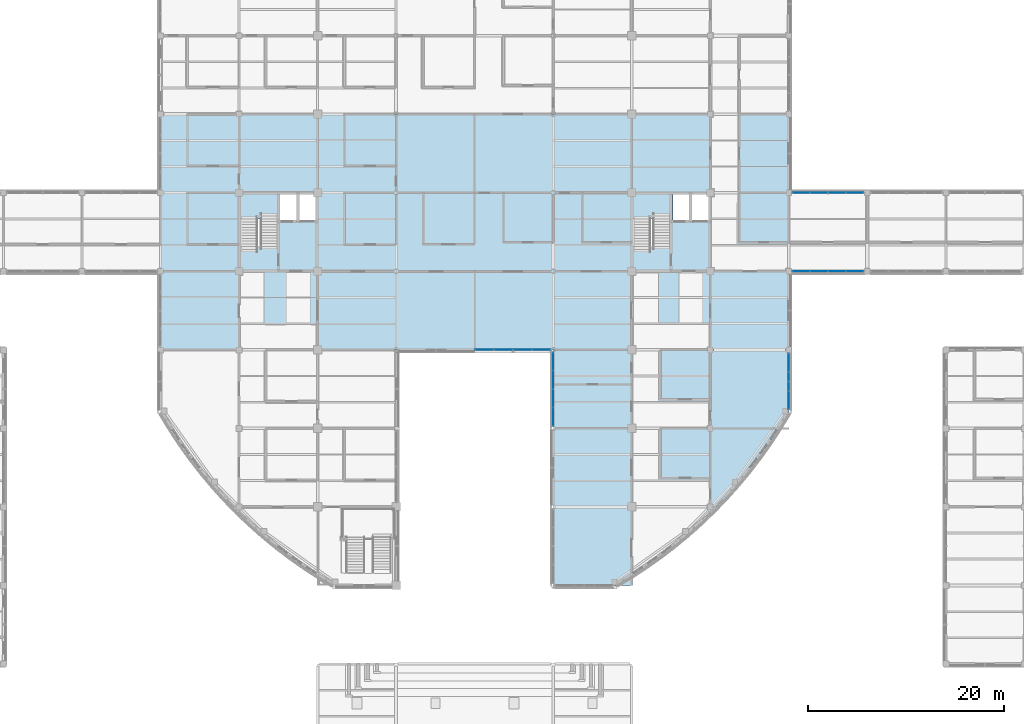
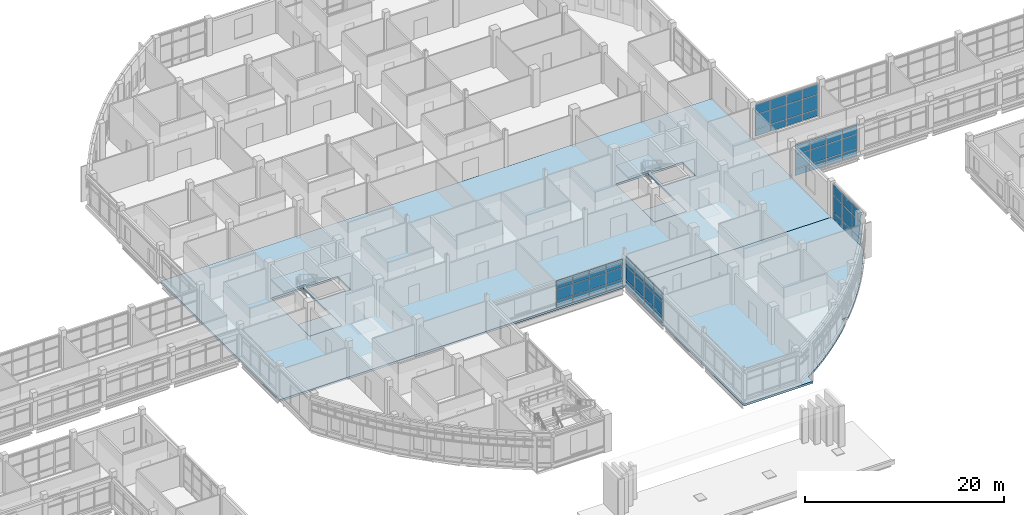
# One storey, part 65 of 121: 57 plates, 6 slabs, 7 elements without a shape of their own.
"""IFC4 building model written with IfcOpenShell, lengths in metres."""

from ifc_helpers import new_model, si_unit, derived_unit, direction, frame, origin, origin_2d, place, context, subcontext, project, spatial, polyline, rectangle, outline, extrude, material, layer, layer_set, type_object, element, aggregate, save


model = new_model("IFC4")

# Units and contexts
model_context = context("Model", 3, precision=1e-05, world=origin(), true_north=direction((0.0, 1.0)))
body_context = subcontext(model_context, "Body", "Model", "MODEL_VIEW")
ifc_project = project(units=[si_unit("LENGTHUNIT", "METRE"), si_unit("AREAUNIT", "SQUARE_METRE"), si_unit("VOLUMEUNIT", "CUBIC_METRE"), si_unit("PLANEANGLEUNIT", "RADIAN"), si_unit("MASSUNIT", "GRAM", prefix="KILO"), derived_unit("THERMALTRANSMITTANCEUNIT", [(si_unit("MASSUNIT", "GRAM", prefix="KILO"), 1), (si_unit("TIMEUNIT", "SECOND"), -3), (si_unit("THERMODYNAMICTEMPERATUREUNIT", "KELVIN"), -1)])], contexts=[model_context])

# Site, building, storey
site_placement = place(None, origin())
site = spatial("IfcSite", under=ifc_project, at=site_placement, CompositionType="ELEMENT")
building_placement = place(site_placement, origin())
building = spatial("IfcBuilding", under=site, at=building_placement, Name="Veyamyaing Civic Hall", CompositionType="ELEMENT")
storey_placement = place(building_placement, frame((0.0, 0.0, 5.280029296875)))
storey = spatial("IfcBuildingStorey", under=building, at=storey_placement, Name="L01", CompositionType="ELEMENT", Elevation=5.280029296875)

# Curtain wall, plates
ifc_material_1 = material(Name="Anodised aluminium 6063-T6", Category="aluminium")
ifc_layer_1 = layer(ifc_material_1, 0.159912109375, Name="Anodised aluminium 6063-T6")
ifc_layer_set_1 = layer_set([ifc_layer_1], Name="Anodised aluminium 6063-T6")
curtain_wall_type = type_object("IfcCurtainWallType", Name="CW-02", PredefinedType="NOTDEFINED", material=ifc_layer_set_1)
curtain_wall_1_placement = place(storey_placement, origin())
curtain_wall_1 = element("IfcCurtainWall", 1, at=curtain_wall_1_placement, inside=storey, type_object=curtain_wall_type, Name="Unitized curtain wall CW-02 L01 S 12.6", PredefinedType="NOTDEFINED")
ifc_material_2 = material(Name="Low-E insulated glass", Category="glass")
ifc_layer_2 = layer(ifc_material_2, 0.028076171875, Name="Low-E insulated glass")
ifc_layer_set_2 = layer_set([ifc_layer_2], Name="Low-E insulated glass")
plate_type_1 = type_object("IfcPlateType", Name="CWP-01", PredefinedType="CURTAIN_PANEL", material=ifc_layer_set_2)
plate_1_placement = place(storey_placement, frame((88.989013671875, 40.0, 0.06494140625), z_axis=(0.0, 0.0, 1.0), x_axis=(1.0, 0.0, 0.0)))
plate_1 = element("IfcPlate", 2, at=plate_1_placement, type_object=plate_type_1, Name="CW-02 panel 1.1", PredefinedType="CURTAIN_PANEL", context=body_context, shape_type="SweptSolid", body=[
    extrude(rectangle(XDim=1.84814453125, YDim=0.028076171875, at=origin_2d()), origin(), (0.0, 0.0, 1.0), 0.802490234375),
])
plate_2_placement = place(storey_placement, frame((88.989013671875, 40.0, 0.9326171875), z_axis=(0.0, 0.0, 1.0), x_axis=(1.0, 0.0, 0.0)))
plate_2 = element("IfcPlate", 3, at=plate_2_placement, type_object=plate_type_1, Name="CW-02 panel 1.2", PredefinedType="CURTAIN_PANEL", context=body_context, shape_type="SweptSolid", body=[
    extrude(rectangle(XDim=1.84814453125, YDim=0.028076171875, at=origin_2d()), origin(), (0.0, 0.0, 1.0), 1.349609375),
])
plate_3_placement = place(storey_placement, frame((88.989013671875, 40.0, 2.34716796875), z_axis=(0.0, 0.0, 1.0), x_axis=(1.0, 0.0, 0.0)))
plate_3 = element("IfcPlate", 4, at=plate_3_placement, type_object=plate_type_1, Name="CW-02 panel 1.3", PredefinedType="CURTAIN_PANEL", context=body_context, shape_type="SweptSolid", body=[
    extrude(rectangle(XDim=1.84814453125, YDim=0.028076171875, at=origin_2d()), origin(), (0.0, 0.0, 1.0), 0.99169921875),
])
plate_4_placement = place(storey_placement, frame((90.918701171875, 40.0, 0.06494140625), z_axis=(0.0, 0.0, 1.0), x_axis=(1.0, 0.0, 0.0)))
plate_4 = element("IfcPlate", 5, at=plate_4_placement, type_object=plate_type_1, Name="CW-02 panel 2.1", PredefinedType="CURTAIN_PANEL", context=body_context, shape_type="SweptSolid", body=[
    extrude(rectangle(XDim=1.880859375, YDim=0.028076171875, at=origin_2d()), origin(), (0.0, 0.0, 1.0), 0.802490234375),
])
plate_5_placement = place(storey_placement, frame((90.918701171875, 40.0, 0.9326171875), z_axis=(0.0, 0.0, 1.0), x_axis=(1.0, 0.0, 0.0)))
plate_5 = element("IfcPlate", 6, at=plate_5_placement, type_object=plate_type_1, Name="CW-02 panel 2.2", PredefinedType="CURTAIN_PANEL", context=body_context, shape_type="SweptSolid", body=[
    extrude(rectangle(XDim=1.880859375, YDim=0.028076171875, at=origin_2d()), origin(), (0.0, 0.0, 1.0), 1.349609375),
])
plate_6_placement = place(storey_placement, frame((90.918701171875, 40.0, 2.34716796875), z_axis=(0.0, 0.0, 1.0), x_axis=(1.0, 0.0, 0.0)))
plate_6 = element("IfcPlate", 7, at=plate_6_placement, type_object=plate_type_1, Name="CW-02 panel 2.3", PredefinedType="CURTAIN_PANEL", context=body_context, shape_type="SweptSolid", body=[
    extrude(rectangle(XDim=1.880859375, YDim=0.028076171875, at=origin_2d()), origin(), (0.0, 0.0, 1.0), 0.99169921875),
])
plate_7_placement = place(storey_placement, frame((92.8642578125, 40.0, 0.06494140625), z_axis=(0.0, 0.0, 1.0), x_axis=(1.0, 0.0, 0.0)))
plate_7 = element("IfcPlate", 8, at=plate_7_placement, type_object=plate_type_1, Name="CW-02 panel 3.1", PredefinedType="CURTAIN_PANEL", context=body_context, shape_type="SweptSolid", body=[
    extrude(rectangle(XDim=1.880859375, YDim=0.028076171875, at=origin_2d()), origin(), (0.0, 0.0, 1.0), 0.802490234375),
])
plate_8_placement = place(storey_placement, frame((92.8642578125, 40.0, 0.9326171875), z_axis=(0.0, 0.0, 1.0), x_axis=(1.0, 0.0, 0.0)))
plate_8 = element("IfcPlate", 9, at=plate_8_placement, type_object=plate_type_1, Name="CW-02 panel 3.2", PredefinedType="CURTAIN_PANEL", context=body_context, shape_type="SweptSolid", body=[
    extrude(rectangle(XDim=1.880859375, YDim=0.028076171875, at=origin_2d()), origin(), (0.0, 0.0, 1.0), 1.349609375),
])
plate_9_placement = place(storey_placement, frame((92.8642578125, 40.0, 2.34716796875), z_axis=(0.0, 0.0, 1.0), x_axis=(1.0, 0.0, 0.0)))
plate_9 = element("IfcPlate", 10, at=plate_9_placement, type_object=plate_type_1, Name="CW-02 panel 3.3", PredefinedType="CURTAIN_PANEL", context=body_context, shape_type="SweptSolid", body=[
    extrude(rectangle(XDim=1.880859375, YDim=0.028076171875, at=origin_2d()), origin(), (0.0, 0.0, 1.0), 0.99169921875),
])
plate_10_placement = place(storey_placement, frame((94.7939453125, 40.0, 0.06494140625), z_axis=(0.0, 0.0, 1.0), x_axis=(1.0, 0.0, 0.0)))
plate_10 = element("IfcPlate", 11, at=plate_10_placement, type_object=plate_type_1, Name="CW-02 panel 4.1", PredefinedType="CURTAIN_PANEL", context=body_context, shape_type="SweptSolid", body=[
    extrude(rectangle(XDim=1.84814453125, YDim=0.028076171875, at=origin_2d()), origin(), (0.0, 0.0, 1.0), 0.802490234375),
])
plate_11_placement = place(storey_placement, frame((94.7939453125, 40.0, 0.9326171875), z_axis=(0.0, 0.0, 1.0), x_axis=(1.0, 0.0, 0.0)))
plate_11 = element("IfcPlate", 12, at=plate_11_placement, type_object=plate_type_1, Name="CW-02 panel 4.2", PredefinedType="CURTAIN_PANEL", context=body_context, shape_type="SweptSolid", body=[
    extrude(rectangle(XDim=1.84814453125, YDim=0.028076171875, at=origin_2d()), origin(), (0.0, 0.0, 1.0), 1.349609375),
])
plate_12_placement = place(storey_placement, frame((94.7939453125, 40.0, 2.34716796875), z_axis=(0.0, 0.0, 1.0), x_axis=(1.0, 0.0, 0.0)))
plate_12 = element("IfcPlate", 13, at=plate_12_placement, type_object=plate_type_1, Name="CW-02 panel 4.3", PredefinedType="CURTAIN_PANEL", context=body_context, shape_type="SweptSolid", body=[
    extrude(rectangle(XDim=1.84814453125, YDim=0.028076171875, at=origin_2d()), origin(), (0.0, 0.0, 1.0), 0.99169921875),
])
aggregate(curtain_wall_1, [plate_1, plate_2, plate_3, plate_4, plate_5, plate_6, plate_7, plate_8, plate_9, plate_10, plate_11, plate_12])

curtain_wall_2_placement = place(storey_placement, origin())
curtain_wall_2 = element("IfcCurtainWall", 14, at=curtain_wall_2_placement, inside=storey, type_object=curtain_wall_type, Name="Unitized curtain wall CW-02 L01 W 13.5", PredefinedType="NOTDEFINED")
plate_13_placement = place(storey_placement, frame((96.0, 33.17822265625, 0.06494140625), z_axis=(0.0, 0.0, 1.0), x_axis=(0.0, 1.0, 0.0)))
plate_13 = element("IfcPlate", 15, at=plate_13_placement, type_object=plate_type_1, Name="CW-02 panel 1.1", PredefinedType="CURTAIN_PANEL", context=body_context, shape_type="SweptSolid", body=[
    extrude(rectangle(XDim=1.79443359375, YDim=0.028076171875, at=origin_2d()), origin(), (0.0, 0.0, 1.0), 0.802490234375),
])
plate_14_placement = place(storey_placement, frame((96.0, 33.17822265625, 0.9326171875), z_axis=(0.0, 0.0, 1.0), x_axis=(0.0, 1.0, 0.0)))
plate_14 = element("IfcPlate", 16, at=plate_14_placement, type_object=plate_type_1, Name="CW-02 panel 1.2", PredefinedType="CURTAIN_PANEL", context=body_context, shape_type="SweptSolid", body=[
    extrude(rectangle(XDim=1.79443359375, YDim=0.028076171875, at=origin_2d()), origin(), (0.0, 0.0, 1.0), 1.614990234375),
])
plate_15_placement = place(storey_placement, frame((96.0, 33.17822265625, 2.6123046875), z_axis=(0.0, 0.0, 1.0), x_axis=(0.0, 1.0, 0.0)))
plate_15 = element("IfcPlate", 17, at=plate_15_placement, type_object=plate_type_1, Name="CW-02 panel 1.3", PredefinedType="CURTAIN_PANEL", context=body_context, shape_type="SweptSolid", body=[
    extrude(rectangle(XDim=1.79443359375, YDim=0.028076171875, at=origin_2d()), origin(), (0.0, 0.0, 1.0), 1.11669921875),
])
plate_16_placement = place(storey_placement, frame((96.0, 35.053955078125, 0.06494140625), z_axis=(0.0, 0.0, 1.0), x_axis=(0.0, 1.0, 0.0)))
plate_16 = element("IfcPlate", 18, at=plate_16_placement, type_object=plate_type_1, Name="CW-02 panel 2.1", PredefinedType="CURTAIN_PANEL", context=body_context, shape_type="SweptSolid", body=[
    extrude(rectangle(XDim=1.826904296875, YDim=0.028076171875, at=origin_2d()), origin(), (0.0, 0.0, 1.0), 0.802490234375),
])
plate_17_placement = place(storey_placement, frame((96.0, 35.053955078125, 0.9326171875), z_axis=(0.0, 0.0, 1.0), x_axis=(0.0, 1.0, 0.0)))
plate_17 = element("IfcPlate", 19, at=plate_17_placement, type_object=plate_type_1, Name="CW-02 panel 2.2", PredefinedType="CURTAIN_PANEL", context=body_context, shape_type="SweptSolid", body=[
    extrude(rectangle(XDim=1.826904296875, YDim=0.028076171875, at=origin_2d()), origin(), (0.0, 0.0, 1.0), 1.614990234375),
])
plate_18_placement = place(storey_placement, frame((96.0, 35.053955078125, 2.6123046875), z_axis=(0.0, 0.0, 1.0), x_axis=(0.0, 1.0, 0.0)))
plate_18 = element("IfcPlate", 20, at=plate_18_placement, type_object=plate_type_1, Name="CW-02 panel 2.3", PredefinedType="CURTAIN_PANEL", context=body_context, shape_type="SweptSolid", body=[
    extrude(rectangle(XDim=1.826904296875, YDim=0.028076171875, at=origin_2d()), origin(), (0.0, 0.0, 1.0), 1.11669921875),
])
plate_19_placement = place(storey_placement, frame((96.0, 36.946044921875, 0.06494140625), z_axis=(0.0, 0.0, 1.0), x_axis=(0.0, 1.0, 0.0)))
plate_19 = element("IfcPlate", 21, at=plate_19_placement, type_object=plate_type_1, Name="CW-02 panel 3.1", PredefinedType="CURTAIN_PANEL", context=body_context, shape_type="SweptSolid", body=[
    extrude(rectangle(XDim=1.826904296875, YDim=0.028076171875, at=origin_2d()), origin(), (0.0, 0.0, 1.0), 0.802490234375),
])
plate_20_placement = place(storey_placement, frame((96.0, 36.946044921875, 0.9326171875), z_axis=(0.0, 0.0, 1.0), x_axis=(0.0, 1.0, 0.0)))
plate_20 = element("IfcPlate", 22, at=plate_20_placement, type_object=plate_type_1, Name="CW-02 panel 3.2", PredefinedType="CURTAIN_PANEL", context=body_context, shape_type="SweptSolid", body=[
    extrude(rectangle(XDim=1.826904296875, YDim=0.028076171875, at=origin_2d()), origin(), (0.0, 0.0, 1.0), 1.614990234375),
])
plate_21_placement = place(storey_placement, frame((96.0, 36.946044921875, 2.6123046875), z_axis=(0.0, 0.0, 1.0), x_axis=(0.0, 1.0, 0.0)))
plate_21 = element("IfcPlate", 23, at=plate_21_placement, type_object=plate_type_1, Name="CW-02 panel 3.3", PredefinedType="CURTAIN_PANEL", context=body_context, shape_type="SweptSolid", body=[
    extrude(rectangle(XDim=1.826904296875, YDim=0.028076171875, at=origin_2d()), origin(), (0.0, 0.0, 1.0), 1.11669921875),
])
plate_22_placement = place(storey_placement, frame((96.0, 38.82177734375, 0.06494140625), z_axis=(0.0, 0.0, 1.0), x_axis=(0.0, 1.0, 0.0)))
plate_22 = element("IfcPlate", 24, at=plate_22_placement, type_object=plate_type_1, Name="CW-02 panel 4.1", PredefinedType="CURTAIN_PANEL", context=body_context, shape_type="SweptSolid", body=[
    extrude(rectangle(XDim=1.79443359375, YDim=0.028076171875, at=origin_2d()), origin(), (0.0, 0.0, 1.0), 0.802490234375),
])
plate_23_placement = place(storey_placement, frame((96.0, 38.82177734375, 0.9326171875), z_axis=(0.0, 0.0, 1.0), x_axis=(0.0, 1.0, 0.0)))
plate_23 = element("IfcPlate", 25, at=plate_23_placement, type_object=plate_type_1, Name="CW-02 panel 4.2", PredefinedType="CURTAIN_PANEL", context=body_context, shape_type="SweptSolid", body=[
    extrude(rectangle(XDim=1.79443359375, YDim=0.028076171875, at=origin_2d()), origin(), (0.0, 0.0, 1.0), 1.614990234375),
])
plate_24_placement = place(storey_placement, frame((96.0, 38.82177734375, 2.6123046875), z_axis=(0.0, 0.0, 1.0), x_axis=(0.0, 1.0, 0.0)))
plate_24 = element("IfcPlate", 26, at=plate_24_placement, type_object=plate_type_1, Name="CW-02 panel 4.3", PredefinedType="CURTAIN_PANEL", context=body_context, shape_type="SweptSolid", body=[
    extrude(rectangle(XDim=1.79443359375, YDim=0.028076171875, at=origin_2d()), origin(), (0.0, 0.0, 1.0), 1.11669921875),
])
aggregate(curtain_wall_2, [plate_13, plate_14, plate_15, plate_16, plate_17, plate_18, plate_19, plate_20, plate_21, plate_22, plate_23, plate_24])

curtain_wall_3_placement = place(storey_placement, origin())
curtain_wall_3 = element("IfcCurtainWall", 27, at=curtain_wall_3_placement, inside=storey, type_object=curtain_wall_type, Name="Unitized curtain wall CW-02 L01 E 15.5", PredefinedType="NOTDEFINED")
ifc_layer_3 = layer(ifc_material_2, 0.035888671875, Name="Low-E insulated glass")
ifc_layer_set_3 = layer_set([ifc_layer_3], Name="Low-E insulated glass")
plate_type_2 = type_object("IfcPlateType", Name="CWP-03", PredefinedType="CURTAIN_PANEL", material=ifc_layer_set_3)
plate_25_placement = place(storey_placement, frame((120.0, 34.877197265625, 0.06494140625), z_axis=(0.0, 0.0, 1.0), x_axis=(0.0, 1.0, 0.0)))
plate_25 = element("IfcPlate", 28, at=plate_25_placement, type_object=plate_type_2, Name="CW-02 panel 1.1", PredefinedType="CURTAIN_PANEL", context=body_context, shape_type="SweptSolid", body=[
    extrude(rectangle(XDim=1.826171875, YDim=0.035888671875, at=origin_2d()), origin(), (0.0, 0.0, 1.0), 0.802490234375),
])
plate_26_placement = place(storey_placement, frame((120.0, 34.877197265625, 0.932373046875), z_axis=(0.0, 0.0, 1.0), x_axis=(0.0, 1.0, 0.0)))
plate_26 = element("IfcPlate", 29, at=plate_26_placement, type_object=plate_type_2, Name="CW-02 panel 1.2", PredefinedType="CURTAIN_PANEL", context=body_context, shape_type="SweptSolid", body=[
    extrude(rectangle(XDim=1.826171875, YDim=0.035888671875, at=origin_2d()), origin(), (0.0, 0.0, 1.0), 1.98291015625),
])
plate_27_placement = place(storey_placement, frame((120.0, 34.877197265625, 2.97998046875), z_axis=(0.0, 0.0, 1.0), x_axis=(0.0, 1.0, 0.0)))
plate_27 = element("IfcPlate", 30, at=plate_27_placement, type_object=plate_type_2, Name="CW-02 panel 1.3", PredefinedType="CURTAIN_PANEL", context=body_context, shape_type="SweptSolid", body=[
    extrude(rectangle(XDim=1.826171875, YDim=0.035888671875, at=origin_2d()), origin(), (0.0, 0.0, 1.0), 1.289794921875),
])
plate_28_placement = place(storey_placement, frame((120.0, 36.78466796875, 0.06494140625), z_axis=(0.0, 0.0, 1.0), x_axis=(0.0, 1.0, 0.0)))
plate_28 = element("IfcPlate", 31, at=plate_28_placement, type_object=plate_type_2, Name="CW-02 panel 2.1", PredefinedType="CURTAIN_PANEL", context=body_context, shape_type="SweptSolid", body=[
    extrude(rectangle(XDim=1.858642578125, YDim=0.035888671875, at=origin_2d()), origin(), (0.0, 0.0, 1.0), 0.802490234375),
])
plate_29_placement = place(storey_placement, frame((120.0, 36.78466796875, 0.932373046875), z_axis=(0.0, 0.0, 1.0), x_axis=(0.0, 1.0, 0.0)))
plate_29 = element("IfcPlate", 32, at=plate_29_placement, type_object=plate_type_2, Name="CW-02 panel 2.2", PredefinedType="CURTAIN_PANEL", context=body_context, shape_type="SweptSolid", body=[
    extrude(rectangle(XDim=1.858642578125, YDim=0.035888671875, at=origin_2d()), origin(), (0.0, 0.0, 1.0), 1.98291015625),
])
plate_30_placement = place(storey_placement, frame((120.0, 36.78466796875, 2.97998046875), z_axis=(0.0, 0.0, 1.0), x_axis=(0.0, 1.0, 0.0)))
plate_30 = element("IfcPlate", 33, at=plate_30_placement, type_object=plate_type_2, Name="CW-02 panel 2.3", PredefinedType="CURTAIN_PANEL", context=body_context, shape_type="SweptSolid", body=[
    extrude(rectangle(XDim=1.858642578125, YDim=0.035888671875, at=origin_2d()), origin(), (0.0, 0.0, 1.0), 1.289794921875),
])
plate_31_placement = place(storey_placement, frame((120.0, 38.69189453125, 0.06494140625), z_axis=(0.0, 0.0, 1.0), x_axis=(0.0, 1.0, 0.0)))
plate_31 = element("IfcPlate", 34, at=plate_31_placement, type_object=plate_type_2, Name="CW-02 panel 3.1", PredefinedType="CURTAIN_PANEL", context=body_context, shape_type="SweptSolid", body=[
    extrude(rectangle(XDim=1.826171875, YDim=0.035888671875, at=origin_2d()), origin(), (0.0, 0.0, 1.0), 0.802490234375),
])
plate_32_placement = place(storey_placement, frame((120.0, 38.69189453125, 0.932373046875), z_axis=(0.0, 0.0, 1.0), x_axis=(0.0, 1.0, 0.0)))
plate_32 = element("IfcPlate", 35, at=plate_32_placement, type_object=plate_type_2, Name="CW-02 panel 3.2", PredefinedType="CURTAIN_PANEL", context=body_context, shape_type="SweptSolid", body=[
    extrude(rectangle(XDim=1.826171875, YDim=0.035888671875, at=origin_2d()), origin(), (0.0, 0.0, 1.0), 1.98291015625),
])
plate_33_placement = place(storey_placement, frame((120.0, 38.69189453125, 2.97998046875), z_axis=(0.0, 0.0, 1.0), x_axis=(0.0, 1.0, 0.0)))
plate_33 = element("IfcPlate", 36, at=plate_33_placement, type_object=plate_type_2, Name="CW-02 panel 3.3", PredefinedType="CURTAIN_PANEL", context=body_context, shape_type="SweptSolid", body=[
    extrude(rectangle(XDim=1.826171875, YDim=0.035888671875, at=origin_2d()), origin(), (0.0, 0.0, 1.0), 1.289794921875),
])
aggregate(curtain_wall_3, [plate_25, plate_26, plate_27, plate_28, plate_29, plate_30, plate_31, plate_32, plate_33])

curtain_wall_4_placement = place(storey_placement, origin())
curtain_wall_4 = element("IfcCurtainWall", 37, at=curtain_wall_4_placement, inside=storey, type_object=curtain_wall_type, Name="Unitized curtain wall CW-02 L01 S 16.7", PredefinedType="NOTDEFINED")
ifc_layer_4 = layer(ifc_material_2, 0.02197265625, Name="Low-E insulated glass")
ifc_layer_set_4 = layer_set([ifc_layer_4], Name="Low-E insulated glass")
plate_type_3 = type_object("IfcPlateType", Name="CWP-06", PredefinedType="CURTAIN_PANEL", material=ifc_layer_set_4)
plate_34_placement = place(storey_placement, frame((121.263671875, 48.0, 0.06494140625), z_axis=(0.0, 0.0, 1.0), x_axis=(1.0, 0.0, 0.0)))
plate_34 = element("IfcPlate", 38, at=plate_34_placement, type_object=plate_type_3, Name="CW-02 panel 1.1", PredefinedType="CURTAIN_PANEL", context=body_context, shape_type="SweptSolid", body=[
    extrude(rectangle(XDim=1.737548828125, YDim=0.02197265625, at=origin_2d()), origin(), (0.0, 0.0, 1.0), 0.802490234375),
])
plate_35_placement = place(storey_placement, frame((121.263671875, 48.0, 0.9326171875), z_axis=(0.0, 0.0, 1.0), x_axis=(1.0, 0.0, 0.0)))
plate_35 = element("IfcPlate", 39, at=plate_35_placement, type_object=plate_type_3, Name="CW-02 panel 1.2", PredefinedType="CURTAIN_PANEL", context=body_context, shape_type="SweptSolid", body=[
    extrude(rectangle(XDim=1.737548828125, YDim=0.02197265625, at=origin_2d()), origin(), (0.0, 0.0, 1.0), 1.696533203125),
])
plate_36_placement = place(storey_placement, frame((121.263671875, 48.0, 2.69384765625), z_axis=(0.0, 0.0, 1.0), x_axis=(1.0, 0.0, 0.0)))
plate_36 = element("IfcPlate", 40, at=plate_36_placement, type_object=plate_type_3, Name="CW-02 panel 1.3", PredefinedType="CURTAIN_PANEL", context=body_context, shape_type="SweptSolid", body=[
    extrude(rectangle(XDim=1.737548828125, YDim=0.02197265625, at=origin_2d()), origin(), (0.0, 0.0, 1.0), 1.155029296875),
])
plate_37_placement = place(storey_placement, frame((123.08251953125, 48.0, 0.06494140625), z_axis=(0.0, 0.0, 1.0), x_axis=(1.0, 0.0, 0.0)))
plate_37 = element("IfcPlate", 41, at=plate_37_placement, type_object=plate_type_3, Name="CW-02 panel 2.1", PredefinedType="CURTAIN_PANEL", context=body_context, shape_type="SweptSolid", body=[
    extrude(rectangle(XDim=1.77001953125, YDim=0.02197265625, at=origin_2d()), origin(), (0.0, 0.0, 1.0), 0.802490234375),
])
plate_38_placement = place(storey_placement, frame((123.08251953125, 48.0, 0.9326171875), z_axis=(0.0, 0.0, 1.0), x_axis=(1.0, 0.0, 0.0)))
plate_38 = element("IfcPlate", 42, at=plate_38_placement, type_object=plate_type_3, Name="CW-02 panel 2.2", PredefinedType="CURTAIN_PANEL", context=body_context, shape_type="SweptSolid", body=[
    extrude(rectangle(XDim=1.77001953125, YDim=0.02197265625, at=origin_2d()), origin(), (0.0, 0.0, 1.0), 1.696533203125),
])
plate_39_placement = place(storey_placement, frame((123.08251953125, 48.0, 2.69384765625), z_axis=(0.0, 0.0, 1.0), x_axis=(1.0, 0.0, 0.0)))
plate_39 = element("IfcPlate", 43, at=plate_39_placement, type_object=plate_type_3, Name="CW-02 panel 2.3", PredefinedType="CURTAIN_PANEL", context=body_context, shape_type="SweptSolid", body=[
    extrude(rectangle(XDim=1.77001953125, YDim=0.02197265625, at=origin_2d()), origin(), (0.0, 0.0, 1.0), 1.155029296875),
])
plate_40_placement = place(storey_placement, frame((124.91748046875, 48.0, 0.06494140625), z_axis=(0.0, 0.0, 1.0), x_axis=(1.0, 0.0, 0.0)))
plate_40 = element("IfcPlate", 44, at=plate_40_placement, type_object=plate_type_3, Name="CW-02 panel 3.1", PredefinedType="CURTAIN_PANEL", context=body_context, shape_type="SweptSolid", body=[
    extrude(rectangle(XDim=1.77001953125, YDim=0.02197265625, at=origin_2d()), origin(), (0.0, 0.0, 1.0), 0.802490234375),
])
plate_41_placement = place(storey_placement, frame((124.91748046875, 48.0, 0.9326171875), z_axis=(0.0, 0.0, 1.0), x_axis=(1.0, 0.0, 0.0)))
plate_41 = element("IfcPlate", 45, at=plate_41_placement, type_object=plate_type_3, Name="CW-02 panel 3.2", PredefinedType="CURTAIN_PANEL", context=body_context, shape_type="SweptSolid", body=[
    extrude(rectangle(XDim=1.77001953125, YDim=0.02197265625, at=origin_2d()), origin(), (0.0, 0.0, 1.0), 1.696533203125),
])
plate_42_placement = place(storey_placement, frame((124.91748046875, 48.0, 2.69384765625), z_axis=(0.0, 0.0, 1.0), x_axis=(1.0, 0.0, 0.0)))
plate_42 = element("IfcPlate", 46, at=plate_42_placement, type_object=plate_type_3, Name="CW-02 panel 3.3", PredefinedType="CURTAIN_PANEL", context=body_context, shape_type="SweptSolid", body=[
    extrude(rectangle(XDim=1.77001953125, YDim=0.02197265625, at=origin_2d()), origin(), (0.0, 0.0, 1.0), 1.155029296875),
])
plate_43_placement = place(storey_placement, frame((126.736328125, 48.0, 0.06494140625), z_axis=(0.0, 0.0, 1.0), x_axis=(1.0, 0.0, 0.0)))
plate_43 = element("IfcPlate", 47, at=plate_43_placement, type_object=plate_type_3, Name="CW-02 panel 4.1", PredefinedType="CURTAIN_PANEL", context=body_context, shape_type="SweptSolid", body=[
    extrude(rectangle(XDim=1.737548828125, YDim=0.02197265625, at=origin_2d()), origin(), (0.0, 0.0, 1.0), 0.802490234375),
])
plate_44_placement = place(storey_placement, frame((126.736328125, 48.0, 0.9326171875), z_axis=(0.0, 0.0, 1.0), x_axis=(1.0, 0.0, 0.0)))
plate_44 = element("IfcPlate", 48, at=plate_44_placement, type_object=plate_type_3, Name="CW-02 panel 4.2", PredefinedType="CURTAIN_PANEL", context=body_context, shape_type="SweptSolid", body=[
    extrude(rectangle(XDim=1.737548828125, YDim=0.02197265625, at=origin_2d()), origin(), (0.0, 0.0, 1.0), 1.696533203125),
])
plate_45_placement = place(storey_placement, frame((126.736328125, 48.0, 2.69384765625), z_axis=(0.0, 0.0, 1.0), x_axis=(1.0, 0.0, 0.0)))
plate_45 = element("IfcPlate", 49, at=plate_45_placement, type_object=plate_type_3, Name="CW-02 panel 4.3", PredefinedType="CURTAIN_PANEL", context=body_context, shape_type="SweptSolid", body=[
    extrude(rectangle(XDim=1.737548828125, YDim=0.02197265625, at=origin_2d()), origin(), (0.0, 0.0, 1.0), 1.155029296875),
])
aggregate(curtain_wall_4, [plate_34, plate_35, plate_36, plate_37, plate_38, plate_39, plate_40, plate_41, plate_42, plate_43, plate_44, plate_45])

curtain_wall_5_placement = place(storey_placement, origin())
curtain_wall_5 = element("IfcCurtainWall", 50, at=curtain_wall_5_placement, inside=storey, type_object=curtain_wall_type, Name="Unitized curtain wall CW-02 L01 N 16.7", PredefinedType="NOTDEFINED")
plate_46_placement = place(storey_placement, frame((121.263671875, 56.0, 0.06494140625), z_axis=(0.0, 0.0, 1.0), x_axis=(1.0, 0.0, 0.0)))
plate_46 = element("IfcPlate", 51, at=plate_46_placement, type_object=plate_type_3, Name="CW-02 panel 1.1", PredefinedType="CURTAIN_PANEL", context=body_context, shape_type="SweptSolid", body=[
    extrude(rectangle(XDim=1.737548828125, YDim=0.02197265625, at=origin_2d()), origin(), (0.0, 0.0, 1.0), 0.802490234375),
])
plate_47_placement = place(storey_placement, frame((121.263671875, 56.0, 0.9326171875), z_axis=(0.0, 0.0, 1.0), x_axis=(1.0, 0.0, 0.0)))
plate_47 = element("IfcPlate", 52, at=plate_47_placement, type_object=plate_type_3, Name="CW-02 panel 1.2", PredefinedType="CURTAIN_PANEL", context=body_context, shape_type="SweptSolid", body=[
    extrude(rectangle(XDim=1.737548828125, YDim=0.02197265625, at=origin_2d()), origin(), (0.0, 0.0, 1.0), 1.739501953125),
])
plate_48_placement = place(storey_placement, frame((121.263671875, 56.0, 2.73681640625), z_axis=(0.0, 0.0, 1.0), x_axis=(1.0, 0.0, 0.0)))
plate_48 = element("IfcPlate", 53, at=plate_48_placement, type_object=plate_type_3, Name="CW-02 panel 1.3", PredefinedType="CURTAIN_PANEL", context=body_context, shape_type="SweptSolid", body=[
    extrude(rectangle(XDim=1.737548828125, YDim=0.02197265625, at=origin_2d()), origin(), (0.0, 0.0, 1.0), 1.175048828125),
])
plate_49_placement = place(storey_placement, frame((123.08251953125, 56.0, 0.06494140625), z_axis=(0.0, 0.0, 1.0), x_axis=(1.0, 0.0, 0.0)))
plate_49 = element("IfcPlate", 54, at=plate_49_placement, type_object=plate_type_3, Name="CW-02 panel 2.1", PredefinedType="CURTAIN_PANEL", context=body_context, shape_type="SweptSolid", body=[
    extrude(rectangle(XDim=1.77001953125, YDim=0.02197265625, at=origin_2d()), origin(), (0.0, 0.0, 1.0), 0.802490234375),
])
plate_50_placement = place(storey_placement, frame((123.08251953125, 56.0, 0.9326171875), z_axis=(0.0, 0.0, 1.0), x_axis=(1.0, 0.0, 0.0)))
plate_50 = element("IfcPlate", 55, at=plate_50_placement, type_object=plate_type_3, Name="CW-02 panel 2.2", PredefinedType="CURTAIN_PANEL", context=body_context, shape_type="SweptSolid", body=[
    extrude(rectangle(XDim=1.77001953125, YDim=0.02197265625, at=origin_2d()), origin(), (0.0, 0.0, 1.0), 1.739501953125),
])
plate_51_placement = place(storey_placement, frame((123.08251953125, 56.0, 2.73681640625), z_axis=(0.0, 0.0, 1.0), x_axis=(1.0, 0.0, 0.0)))
plate_51 = element("IfcPlate", 56, at=plate_51_placement, type_object=plate_type_3, Name="CW-02 panel 2.3", PredefinedType="CURTAIN_PANEL", context=body_context, shape_type="SweptSolid", body=[
    extrude(rectangle(XDim=1.77001953125, YDim=0.02197265625, at=origin_2d()), origin(), (0.0, 0.0, 1.0), 1.175048828125),
])
plate_52_placement = place(storey_placement, frame((124.91748046875, 56.0, 0.06494140625), z_axis=(0.0, 0.0, 1.0), x_axis=(1.0, 0.0, 0.0)))
plate_52 = element("IfcPlate", 57, at=plate_52_placement, type_object=plate_type_3, Name="CW-02 panel 3.1", PredefinedType="CURTAIN_PANEL", context=body_context, shape_type="SweptSolid", body=[
    extrude(rectangle(XDim=1.77001953125, YDim=0.02197265625, at=origin_2d()), origin(), (0.0, 0.0, 1.0), 0.802490234375),
])
plate_53_placement = place(storey_placement, frame((124.91748046875, 56.0, 0.9326171875), z_axis=(0.0, 0.0, 1.0), x_axis=(1.0, 0.0, 0.0)))
plate_53 = element("IfcPlate", 58, at=plate_53_placement, type_object=plate_type_3, Name="CW-02 panel 3.2", PredefinedType="CURTAIN_PANEL", context=body_context, shape_type="SweptSolid", body=[
    extrude(rectangle(XDim=1.77001953125, YDim=0.02197265625, at=origin_2d()), origin(), (0.0, 0.0, 1.0), 1.739501953125),
])
plate_54_placement = place(storey_placement, frame((124.91748046875, 56.0, 2.73681640625), z_axis=(0.0, 0.0, 1.0), x_axis=(1.0, 0.0, 0.0)))
plate_54 = element("IfcPlate", 59, at=plate_54_placement, type_object=plate_type_3, Name="CW-02 panel 3.3", PredefinedType="CURTAIN_PANEL", context=body_context, shape_type="SweptSolid", body=[
    extrude(rectangle(XDim=1.77001953125, YDim=0.02197265625, at=origin_2d()), origin(), (0.0, 0.0, 1.0), 1.175048828125),
])
plate_55_placement = place(storey_placement, frame((126.736328125, 56.0, 0.06494140625), z_axis=(0.0, 0.0, 1.0), x_axis=(1.0, 0.0, 0.0)))
plate_55 = element("IfcPlate", 60, at=plate_55_placement, type_object=plate_type_3, Name="CW-02 panel 4.1", PredefinedType="CURTAIN_PANEL", context=body_context, shape_type="SweptSolid", body=[
    extrude(rectangle(XDim=1.737548828125, YDim=0.02197265625, at=origin_2d()), origin(), (0.0, 0.0, 1.0), 0.802490234375),
])
plate_56_placement = place(storey_placement, frame((126.736328125, 56.0, 0.9326171875), z_axis=(0.0, 0.0, 1.0), x_axis=(1.0, 0.0, 0.0)))
plate_56 = element("IfcPlate", 61, at=plate_56_placement, type_object=plate_type_3, Name="CW-02 panel 4.2", PredefinedType="CURTAIN_PANEL", context=body_context, shape_type="SweptSolid", body=[
    extrude(rectangle(XDim=1.737548828125, YDim=0.02197265625, at=origin_2d()), origin(), (0.0, 0.0, 1.0), 1.739501953125),
])
plate_57_placement = place(storey_placement, frame((126.736328125, 56.0, 2.73681640625), z_axis=(0.0, 0.0, 1.0), x_axis=(1.0, 0.0, 0.0)))
plate_57 = element("IfcPlate", 62, at=plate_57_placement, type_object=plate_type_3, Name="CW-02 panel 4.3", PredefinedType="CURTAIN_PANEL", context=body_context, shape_type="SweptSolid", body=[
    extrude(rectangle(XDim=1.737548828125, YDim=0.02197265625, at=origin_2d()), origin(), (0.0, 0.0, 1.0), 1.175048828125),
])
aggregate(curtain_wall_5, [plate_46, plate_47, plate_48, plate_49, plate_50, plate_51, plate_52, plate_53, plate_54, plate_55, plate_56, plate_57])

# Slabs
ifc_material_3 = material(Name="Concrete C40/50", Category="concrete")
ifc_layer_5 = layer(ifc_material_3, 0.2451171875, Name="Concrete C40/50")
ifc_layer_set_5 = layer_set([ifc_layer_5], Name="Concrete C40/50")
slab_type_1 = type_object("IfcSlabType", Name="SL-03", PredefinedType="FLOOR", material=ifc_layer_set_5)
slab_1_placement = place(storey_placement, frame((0.0, 0.0, -0.2451171875)))
element("IfcSlab", 63, at=slab_1_placement, inside=storey, type_object=slab_type_1, Name="Floor slab SL-03 L01 V1C.1", PredefinedType="FLOOR", context=body_context, shape_type="SweptSolid", body=[
    extrude(outline(polyline([(56.0, 64.0), (120.0, 64.0), (120.0, 40.0), (56.0, 40.0), (56.0, 64.0)]), holes=[polyline([(67.909912109375, 55.860107421875), (64.139892578125, 55.860107421875), (64.139892578125, 48.139892578125), (67.909912109375, 48.139892578125), (67.909912109375, 55.860107421875)]), polyline([(71.820068359375, 55.820068359375), (68.179931640625, 55.820068359375), (68.179931640625, 53.179931640625), (71.820068359375, 53.179931640625), (71.820068359375, 55.820068359375)]), polyline([(107.909912109375, 55.860107421875), (104.139892578125, 55.860107421875), (104.139892578125, 48.139892578125), (107.909912109375, 48.139892578125), (107.909912109375, 55.860107421875)]), polyline([(111.820068359375, 55.820068359375), (108.179931640625, 55.820068359375), (108.179931640625, 53.179931640625), (111.820068359375, 53.179931640625), (111.820068359375, 55.820068359375)])]), origin(), (0.0, 0.0, 1.0), 0.2451171875),
])
slab_2_placement = place(storey_placement, frame((0.0, 0.0, -0.2451171875)))
element("IfcSlab", 64, at=slab_2_placement, inside=storey, type_object=slab_type_1, Name="Floor slab SL-03 L01 V1S.2", PredefinedType="FLOOR", context=body_context, shape_type="SweptSolid", body=[
    extrude(outline(polyline([(96.0, 40.0), (120.0, 40.0), (120.0, 33.569091796875), (119.073486328125, 32.03173828125), (118.090087890625, 30.52978515625), (117.051513671875, 29.06591796875), (115.958740234375, 27.6416015625), (114.8134765625, 26.259521484375), (113.6171875, 24.9208984375), (112.730224609375, 24.0), (112.0, 24.0), (112.0, 23.269775390625), (111.0791015625, 22.3828125), (109.740478515625, 21.1865234375), (108.3583984375, 20.041259765625), (106.93408203125, 18.948486328125), (105.47021484375, 17.909912109375), (104.0, 16.947265625), (104.0, 16.0), (96.0, 16.0), (96.0, 40.0)])), origin(), (0.0, 0.0, 1.0), 0.2451171875),
])
ifc_layer_6 = layer(ifc_material_3, 0.199951171875, Name="Concrete C40/50")
ifc_layer_set_6 = layer_set([ifc_layer_6], Name="Concrete C40/50")
slab_type_2 = type_object("IfcSlabType", Name="SL-16", PredefinedType="FLOOR", material=ifc_layer_set_6)
slab_3_placement = place(storey_placement, frame((0.0, 0.0, -0.199951171875)))
element("IfcSlab", 65, at=slab_3_placement, inside=storey, type_object=slab_type_2, Name="Stair floor landing slab SL-16 ST-05 L01", PredefinedType="FLOOR", context=body_context, shape_type="SweptSolid", body=[
    extrude(outline(polyline([(64.139892578125, 48.139892578125), (67.909912109375, 48.139892578125), (67.909912109375, 50.52001953125), (64.139892578125, 50.52001953125), (64.139892578125, 48.139892578125)])), origin(), (0.0, 0.0, 1.0), 0.199951171875),
])
slab_4_placement = place(storey_placement, frame((0.0, 0.0, -0.199951171875)))
element("IfcSlab", 66, at=slab_4_placement, inside=storey, type_object=slab_type_2, Name="Stair floor landing slab SL-16 ST-06 L01", PredefinedType="FLOOR", context=body_context, shape_type="SweptSolid", body=[
    extrude(outline(polyline([(104.139892578125, 48.139892578125), (107.909912109375, 48.139892578125), (107.909912109375, 50.52001953125), (104.139892578125, 50.52001953125), (104.139892578125, 48.139892578125)])), origin(), (0.0, 0.0, 1.0), 0.199951171875),
])

# Stair, slab
stair_type = type_object("IfcStairType", Name="ST-C", PredefinedType="HALF_TURN_STAIR", material=ifc_material_3)
stair_1_placement = place(storey_placement, origin())
stair_1 = element("IfcStair", 67, at=stair_1_placement, inside=storey, type_object=stair_type, Name="Protected exit stair ST-05 L01", PredefinedType="HALF_TURN_STAIR")
ifc_layer_7 = layer(ifc_material_3, 0.195068359375, Name="Concrete C40/50")
ifc_layer_set_7 = layer_set([ifc_layer_7], Name="Concrete C40/50")
slab_type_3 = type_object("IfcSlabType", Name="SL-LND", PredefinedType="LANDING", material=ifc_layer_set_7)
slab_5_placement = place(storey_placement, frame((0.0, 0.0, 2.114990234375)))
slab_5 = element("IfcSlab", 68, at=slab_5_placement, type_object=slab_type_3, Name="ST-05 landing 1", PredefinedType="LANDING", context=body_context, shape_type="SweptSolid", body=[
    extrude(outline(polyline([(64.139892578125, 53.35009765625), (67.909912109375, 53.35009765625), (67.909912109375, 55.860107421875), (64.139892578125, 55.860107421875), (64.139892578125, 53.35009765625)])), origin(), (0.0, 0.0, 1.0), 0.195068359375),
])
aggregate(stair_1, [slab_5])

stair_2_placement = place(storey_placement, origin())
stair_2 = element("IfcStair", 69, at=stair_2_placement, inside=storey, type_object=stair_type, Name="Protected exit stair ST-06 L01", PredefinedType="HALF_TURN_STAIR")
slab_6_placement = place(storey_placement, frame((0.0, 0.0, 2.114990234375)))
slab_6 = element("IfcSlab", 70, at=slab_6_placement, type_object=slab_type_3, Name="ST-06 landing 1", PredefinedType="LANDING", context=body_context, shape_type="SweptSolid", body=[
    extrude(outline(polyline([(104.139892578125, 53.35009765625), (107.909912109375, 53.35009765625), (107.909912109375, 55.860107421875), (104.139892578125, 55.860107421875), (104.139892578125, 53.35009765625)])), origin(), (0.0, 0.0, 1.0), 0.195068359375),
])
aggregate(stair_2, [slab_6])

save(model, "model.ifc")
